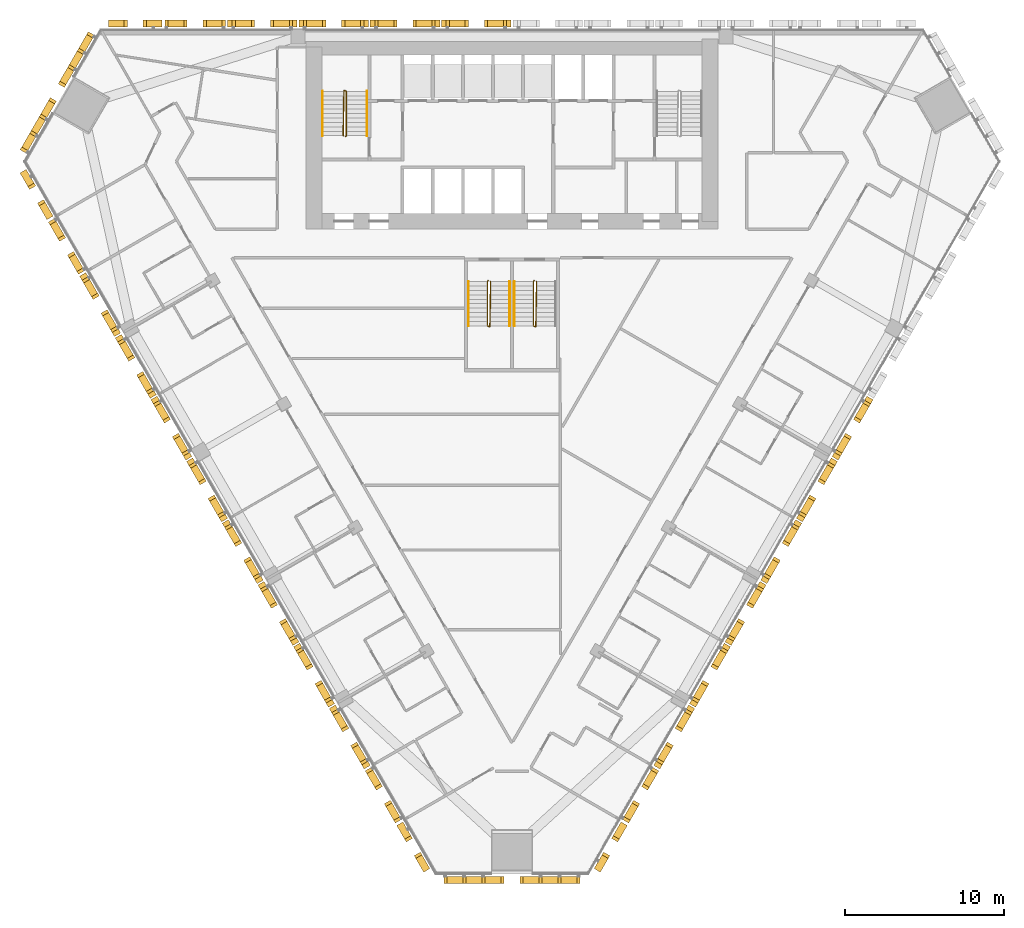
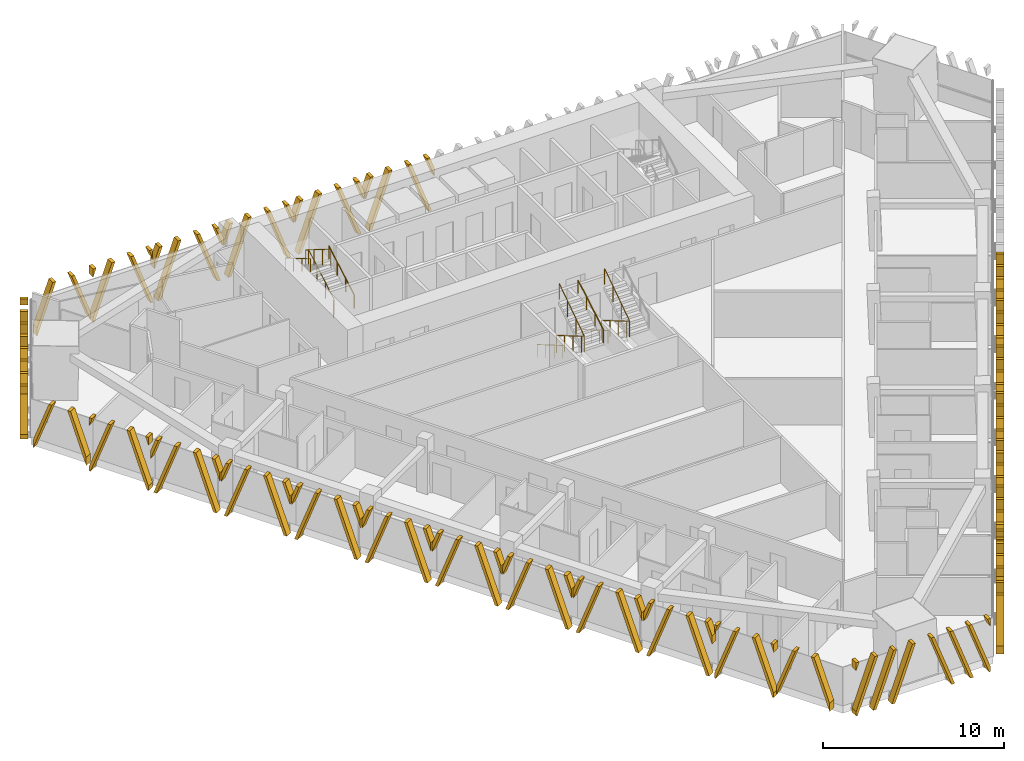
# One storey, part 16 of 18: 28 shading devices, 8 railings.
"""IFC4 building model written with IfcOpenShell, lengths in metres."""

import ifcopenshell
import ifcopenshell.guid

model = None  # the IFC model being written
_history = None  # IfcOwnerHistory: only IFC2X3 demands one
_inside = {}  # id of a spatial element -> (the spatial element, [elements in it])
_under = {}  # id of a project, library or spatial element -> (it, [spatial elements below it])
_declared = {}  # id of a project -> (the project, [libraries it declares])
_typed = {}  # id of a type object -> (the type object, [elements of that type])
_made_of = {}  # id of a material, layer set ... -> (it, [elements and type objects made of it])


def new_model(schema):
    """Start an empty IFC model of exactly this schema.

    Asked for "IFC4X3", IfcOpenShell would pick the latest addendum, in which some entities
    have other attributes; the version numbers below select the first issue.
    IFC2X3 requires an IfcOwnerHistory on every rooted entity: one is made here for all.
    """
    global model, _history
    if schema == "IFC4X3":
        model = ifcopenshell.file(schema_version=(4, 3, 0, 0))
    else:
        model = ifcopenshell.file(schema=schema)
    _inside.clear()
    _under.clear()
    _declared.clear()
    _typed.clear()
    _made_of.clear()
    _history = None
    if model.schema == "IFC2X3":
        org = make("IfcOrganization", Name="unknown")
        user = make(
            "IfcPersonAndOrganization",
            ThePerson=make("IfcPerson", FamilyName="unknown"),
            TheOrganization=org,
        )
        app = make(
            "IfcApplication",
            ApplicationDeveloper=org,
            Version="unknown",
            ApplicationFullName="unknown",
            ApplicationIdentifier="unknown",
        )
        _history = make(
            "IfcOwnerHistory",
            OwningUser=user,
            OwningApplication=app,
            ChangeAction="ADDED",
            CreationDate=0,
        )
    return model


def make(cls, **values):
    """One entity of the class cls with the attributes given. An attribute that is None is left unset."""
    return model.create_entity(
        cls, **{name: value for name, value in values.items() if value is not None}
    )


def rooted(cls, **values):
    """An entity with a GlobalId (a new one), such as an element, a storey or a relation."""
    return make(cls, GlobalId=ifcopenshell.guid.new(), OwnerHistory=_history, **values)


def si_unit(unit_type, name, prefix=None):
    """IfcSIUnit, for example si_unit("LENGTHUNIT", "METRE", prefix="MILLI")."""
    return make("IfcSIUnit", UnitType=unit_type, Prefix=prefix, Name=name)


def assignment(units):
    """IfcUnitAssignment: the units of a project."""
    return None if units is None else make("IfcUnitAssignment", Units=units)


def point(xyz):
    """IfcCartesianPoint."""
    return None if xyz is None else make("IfcCartesianPoint", Coordinates=xyz)


def direction(xyz):
    """IfcDirection."""
    return None if xyz is None else make("IfcDirection", DirectionRatios=xyz)


def frame(location, z_axis=None, x_axis=None):
    """IfcAxis2Placement3D, a coordinate frame: its origin and axes. An axis left out is left unset."""
    return make(
        "IfcAxis2Placement3D",
        Location=point(location),
        Axis=direction(z_axis),
        RefDirection=direction(x_axis),
    )


def frame_2d(location, x_axis=None):
    """IfcAxis2Placement2D, a coordinate frame in the plane: its origin and x axis."""
    return make(
        "IfcAxis2Placement2D", Location=point(location), RefDirection=direction(x_axis)
    )


def origin():
    """The frame at (0, 0, 0) with its axes left unset."""
    return frame((0.0, 0.0, 0.0))


def origin_2d():
    """The frame at (0, 0) in the plane with its x axis left unset."""
    return frame_2d((0.0, 0.0))


def place(relative_to, where):
    """IfcLocalPlacement: puts the frame where relative to a parent placement (None: the world)."""
    return make(
        "IfcLocalPlacement", PlacementRelTo=relative_to, RelativePlacement=where
    )


def context(
    kind, dimensions, precision=None, world=None, true_north=None, identifier=None
):
    """IfcGeometricRepresentationContext, for example the 3D "Model" context."""
    return make(
        "IfcGeometricRepresentationContext",
        ContextIdentifier=identifier,
        ContextType=kind,
        CoordinateSpaceDimension=dimensions,
        Precision=precision,
        WorldCoordinateSystem=world,
        TrueNorth=true_north,
    )


def subcontext(parent, identifier, kind, view, scale=None):
    """IfcGeometricRepresentationSubContext, for example "Body" below "Model"."""
    return make(
        "IfcGeometricRepresentationSubContext",
        ContextIdentifier=identifier,
        ContextType=kind,
        ParentContext=parent,
        TargetScale=scale,
        TargetView=view,
    )


def project(units=None, contexts=None):
    """IfcProject with its units and contexts."""
    return rooted(
        "IfcProject",
        Name="project",
        RepresentationContexts=contexts,
        UnitsInContext=assignment(units),
    )


def spatial(cls, under=None, at=None, **own):
    """A site, building, storey or space (cls), placed at a placement, below another one or the project."""
    s = rooted(cls, ObjectPlacement=at, **own)
    if under is not None:
        _under.setdefault(under.id(), (under, []))[1].append(s)
    return s


def polyline(points):
    """IfcPolyline through the points."""
    return make("IfcPolyline", Points=[point(p) for p in points])


def profile(cls, at=None, kind="AREA", **sizes):
    """A parametric profile (cls). Its sizes go by their IFC names, for example OverallWidth=200.0."""
    return make(cls, ProfileType=kind, Position=at, **sizes)


def circle(**sizes):
    """IfcCircleProfileDef."""
    return profile("IfcCircleProfileDef", **sizes)


def outline(outer, holes=None, kind="AREA"):
    """IfcArbitraryClosedProfileDef: a profile drawn as a closed curve; with holes, ...WithVoids."""
    if holes is None:
        return make("IfcArbitraryClosedProfileDef", ProfileType=kind, OuterCurve=outer)
    return make(
        "IfcArbitraryProfileDefWithVoids",
        ProfileType=kind,
        OuterCurve=outer,
        InnerCurves=holes,
    )


def extrude(swept, where, along, depth):
    """IfcExtrudedAreaSolid: the profile swept, set in the frame where, extruded along a direction by depth."""
    return make(
        "IfcExtrudedAreaSolid",
        SweptArea=swept,
        Position=where,
        ExtrudedDirection=direction(along),
        Depth=depth,
    )


def shape(context_of_items, identifier, shape_type, items):
    """IfcShapeRepresentation: the items that make up one representation, for example the "Body"."""
    return make(
        "IfcShapeRepresentation",
        ContextOfItems=context_of_items,
        RepresentationIdentifier=identifier,
        RepresentationType=shape_type,
        Items=items,
    )


def source(mapping_origin, context_of_items, identifier, shape_type, items):
    """IfcRepresentationMap: a shape defined once, which mapped items show again and again."""
    return make(
        "IfcRepresentationMap",
        MappingOrigin=mapping_origin,
        MappedRepresentation=shape(context_of_items, identifier, shape_type, items),
    )


def transform(
    local_origin,
    x_axis=None,
    y_axis=None,
    z_axis=None,
    scale=None,
    scale2=None,
    scale3=None,
    uniform=True,
):
    """IfcCartesianTransformationOperator3D, or its non-uniform kind. x_axis, y_axis, z_axis: its Axis1, 2, 3."""
    if uniform:
        return make(
            "IfcCartesianTransformationOperator3D",
            Axis1=direction(x_axis),
            Axis2=direction(y_axis),
            LocalOrigin=point(local_origin),
            Scale=scale,
            Axis3=direction(z_axis),
        )
    return make(
        "IfcCartesianTransformationOperator3DnonUniform",
        Axis1=direction(x_axis),
        Axis2=direction(y_axis),
        LocalOrigin=point(local_origin),
        Scale=scale,
        Axis3=direction(z_axis),
        Scale2=scale2,
        Scale3=scale3,
    )


def mapped(mapping_source, mapping_target):
    """IfcMappedItem: shows the shape of a source again, moved by a transform."""
    return make(
        "IfcMappedItem", MappingSource=mapping_source, MappingTarget=mapping_target
    )


def material(Name=None, Category=None):
    """IfcMaterial."""
    return make("IfcMaterial", Name=Name, Category=Category)


def made_of(thing, what):
    """Note that an element or type object is made of a material, layer set ...; save() writes the relation."""
    if what is not None:
        _made_of.setdefault(what.id(), (what, []))[1].append(thing)
    return thing


def type_object(cls, material=None, **own):
    """A type object (cls), such as IfcWallType, which elements share."""
    return made_of(rooted(cls, **own), material)


def element(
    cls,
    number,
    at=None,
    inside=None,
    cuts=None,
    type_object=None,
    material=None,
    context=None,
    identifier="Body",
    shape_type=None,
    held_by="IfcProductDefinitionShape",
    body=None,
    shapes=None,
    **own,
):
    """One element of the class cls, such as IfcWall. Its Tag is "e" and its number.

    at: its placement. inside: the storey or other place that contains it. cuts: it is an
    opening in that element (IfcRelVoidsElement). A single representation is given by context,
    identifier, shape_type and body (its items); several are given by shapes. held_by: the class
    of the entity that holds the representations. save() writes the other relations.
    """
    e = rooted(cls, Tag="e%d" % number, ObjectPlacement=at, **own)
    if body is not None:
        shapes = [shape(context, identifier, shape_type, body)]
    if shapes is not None:
        e.Representation = make(held_by, Representations=shapes)
    if inside is not None:
        _inside.setdefault(inside.id(), (inside, []))[1].append(e)
    if cuts is not None:
        rooted(
            "IfcRelVoidsElement", RelatingBuildingElement=cuts, RelatedOpeningElement=e
        )
    if type_object is not None:
        _typed.setdefault(type_object.id(), (type_object, []))[1].append(e)
    return made_of(e, material)


def aggregate(whole, parts):
    """IfcRelAggregates: a whole, such as a stair, and the parts it consists of."""
    return rooted("IfcRelAggregates", RelatingObject=whole, RelatedObjects=parts)


def save(model, path):
    """Write the relations noted so far, then the file.

    IfcRelAggregates (storeys below a building ...), IfcRelContainedInSpatialStructure (elements
    in a storey), IfcRelDefinesByType, IfcRelAssociatesMaterial and IfcRelDeclares: one each for
    every whole, place, type object, material and project.
    """
    for whole, parts in _under.values():
        aggregate(whole, parts)
    for where, things in _inside.values():
        rooted(
            "IfcRelContainedInSpatialStructure",
            RelatedElements=things,
            RelatingStructure=where,
        )
    for kind, things in _typed.values():
        rooted("IfcRelDefinesByType", RelatedObjects=things, RelatingType=kind)
    for what, things in _made_of.values():
        rooted("IfcRelAssociatesMaterial", RelatedObjects=things, RelatingMaterial=what)
    for by, libraries in _declared.values():
        rooted("IfcRelDeclares", RelatingContext=by, RelatedDefinitions=libraries)
    model.write(path)


model = new_model("IFC4")

# Units and contexts
model_context = context("Model", 3, precision=1e-05, world=origin(), true_north=direction((0.0, 1.0)))
body_context = subcontext(model_context, "Body", "Model", "MODEL_VIEW")
ifc_project = project(units=[si_unit("LENGTHUNIT", "METRE"), si_unit("AREAUNIT", "SQUARE_METRE"), si_unit("VOLUMEUNIT", "CUBIC_METRE"), si_unit("PLANEANGLEUNIT", "RADIAN"), si_unit("MASSUNIT", "GRAM", prefix="KILO")], contexts=[model_context])

# Site, building, storey
site_placement = place(None, origin())
site = spatial("IfcSite", under=ifc_project, at=site_placement, CompositionType="ELEMENT")
building_placement = place(site_placement, origin())
building = spatial("IfcBuilding", under=site, at=building_placement, Name="Altiplano Prism Tower", CompositionType="ELEMENT")
storey_placement = place(building_placement, frame((0.0, 0.0, 45.0)))
storey = spatial("IfcBuildingStorey", under=building, at=storey_placement, Name="L10", CompositionType="ELEMENT", Elevation=45.0)

# Railings
ifc_material_1 = material(Name="Steel S355", Category="steel")
railing_type_1 = type_object("IfcRailingType", Name="Stair guard 1100", PredefinedType="GUARDRAIL", material=ifc_material_1)
railing_1_placement = place(storey_placement, frame((74.5, 98.25, 0.0)))
element("IfcRailing", 1, at=railing_1_placement, inside=storey, type_object=railing_type_1, Name="L10 ST1 stair guard 1", PredefinedType="GUARDRAIL", context=body_context, shape_type="SweptSolid", body=[
    extrude(circle(Radius=0.02392578125, at=origin_2d()), frame((0.0, 0.0, 1.076171875), z_axis=(0.280808744504, 0.280808744504, 0.917765164963), x_axis=(-0.707106781187, 0.707106781187, 0.0)), (0.0, 0.0, 1.0), 0.17822265625),
    extrude(circle(Radius=0.02392578125, at=origin_2d()), frame((0.050048828125, 0.050048828125, 1.23974609375), z_axis=(0.0, 0.863360870873, 0.504586966384), x_axis=(-1.0, 0.0, 0.0)), (0.0, 0.0, 1.0), 3.2431640625),
    extrude(circle(Radius=0.02392578125, at=origin_2d()), frame((0.050048828125, 2.85009765625, 2.8759765625), z_axis=(-0.949145278916, 0.314838433982, 0.0), x_axis=(-0.314838433982, -0.949145278916, 0.0)), (0.0, 0.0, 1.0), 0.158203125),
    extrude(circle(Radius=0.02392578125, at=origin_2d()), frame((-0.10009765625, 2.89990234375, 2.8759765625), z_axis=(-0.01477401265, -0.845377694409, 0.533964682676), x_axis=(0.999847325713, -0.01747355902, 0.0)), (0.0, 0.0, 1.0), 3.37109375),
    extrude(circle(Radius=0.02099609375, at=origin_2d()), origin(), (0.0, 0.0, 1.0), 1.052001953125),
    extrude(circle(Radius=0.02099609375, at=origin_2d()), frame((0.050048828125, 0.050048828125, 0.16357421875)), (0.0, 0.0, 1.0), 1.052001953125),
    extrude(circle(Radius=0.02099609375, at=origin_2d()), frame((0.050048828125, 0.9833984375, 0.708984375)), (0.0, 0.0, 1.0), 1.052001953125),
    extrude(circle(Radius=0.02099609375, at=origin_2d()), frame((0.050048828125, 1.916748046875, 1.254638671875)), (0.0, 0.0, 1.0), 1.052001953125),
    extrude(circle(Radius=0.02099609375, at=origin_2d()), frame((0.050048828125, 2.85009765625, 1.800048828125)), (0.0, 0.0, 1.0), 1.052001953125),
    extrude(circle(Radius=0.02099609375, at=origin_2d()), frame((-0.10009765625, 2.89990234375, 1.800048828125)), (0.0, 0.0, 1.0), 1.052001953125),
    extrude(circle(Radius=0.02099609375, at=origin_2d()), frame((-0.11669921875, 1.949951171875, 2.400146484375)), (0.0, 0.0, 1.0), 1.052001953125),
    extrude(circle(Radius=0.02099609375, at=origin_2d()), frame((-0.13330078125, 1.0, 3.0)), (0.0, 0.0, 1.0), 1.052001953125),
    extrude(circle(Radius=0.02099609375, at=origin_2d()), frame((-0.14990234375, 0.050048828125, 3.60009765625)), (0.0, 0.0, 1.0), 1.052001953125),
])
railing_2_placement = place(storey_placement, frame((83.5, 89.14990234375, 0.0)))
element("IfcRailing", 2, at=railing_2_placement, inside=storey, type_object=railing_type_1, Name="L10 ST3A stair guard 1", PredefinedType="GUARDRAIL", context=body_context, shape_type="SweptSolid", body=[
    extrude(circle(Radius=0.02392578125, at=origin_2d()), frame((0.0, 0.0, 1.076171875), z_axis=(-0.280916556609, -0.279546231943, 0.91811752648), x_axis=(0.705375805398, -0.708833529934, 0.0)), (0.0, 0.0, 1.0), 0.17822265625),
    extrude(circle(Radius=0.02392578125, at=origin_2d()), frame((-0.050048828125, -0.0498046875, 1.23974609375), z_axis=(0.0, -0.863360870873, 0.504586966384), x_axis=(1.0, 0.0, 0.0)), (0.0, 0.0, 1.0), 3.2431640625),
    extrude(circle(Radius=0.02392578125, at=origin_2d()), frame((-0.050048828125, -2.849853515625, 2.8759765625), z_axis=(0.948683298051, -0.316227766017, 0.0), x_axis=(0.316227766017, 0.948683298051, 0.0)), (0.0, 0.0, 1.0), 0.158203125),
    extrude(circle(Radius=0.02392578125, at=origin_2d()), frame((0.10009765625, -2.89990234375, 2.8759765625), z_axis=(0.014773108175, 0.84539835705, 0.533931993021), x_axis=(-0.999847351862, 0.017472062685, 0.0)), (0.0, 0.0, 1.0), 3.371337890625),
    extrude(circle(Radius=0.02099609375, at=origin_2d()), origin(), (0.0, 0.0, 1.0), 1.052001953125),
    extrude(circle(Radius=0.02099609375, at=origin_2d()), frame((-0.050048828125, -0.0498046875, 0.16357421875)), (0.0, 0.0, 1.0), 1.052001953125),
    extrude(circle(Radius=0.02099609375, at=origin_2d()), frame((-0.050048828125, -0.983154296875, 0.708984375)), (0.0, 0.0, 1.0), 1.052001953125),
    extrude(circle(Radius=0.02099609375, at=origin_2d()), frame((-0.050048828125, -1.91650390625, 1.254638671875)), (0.0, 0.0, 1.0), 1.052001953125),
    extrude(circle(Radius=0.02099609375, at=origin_2d()), frame((-0.050048828125, -2.849853515625, 1.800048828125)), (0.0, 0.0, 1.0), 1.052001953125),
    extrude(circle(Radius=0.02099609375, at=origin_2d()), frame((0.10009765625, -2.89990234375, 1.800048828125)), (0.0, 0.0, 1.0), 1.052001953125),
    extrude(circle(Radius=0.02099609375, at=origin_2d()), frame((0.11669921875, -1.949951171875, 2.400146484375)), (0.0, 0.0, 1.0), 1.052001953125),
    extrude(circle(Radius=0.02099609375, at=origin_2d()), frame((0.13330078125, -0.999755859375, 3.0)), (0.0, 0.0, 1.0), 1.052001953125),
    extrude(circle(Radius=0.02099609375, at=origin_2d()), frame((0.14990234375, -0.0498046875, 3.60009765625)), (0.0, 0.0, 1.0), 1.052001953125),
])
railing_3_placement = place(storey_placement, frame((86.39990234375, 89.14990234375, 0.0)))
element("IfcRailing", 3, at=railing_3_placement, inside=storey, type_object=railing_type_1, Name="L10 ST3B stair guard 1", PredefinedType="GUARDRAIL", context=body_context, shape_type="SweptSolid", body=[
    extrude(circle(Radius=0.02392578125, at=origin_2d()), frame((0.0, 0.0, 1.076171875), z_axis=(-0.279653641804, -0.279653641804, 0.918470294159), x_axis=(0.707106781187, -0.707106781187, 0.0)), (0.0, 0.0, 1.0), 0.177978515625),
    extrude(circle(Radius=0.02392578125, at=origin_2d()), frame((-0.0498046875, -0.0498046875, 1.23974609375), z_axis=(0.0, -0.863360870873, 0.504586966384), x_axis=(1.0, 0.0, 0.0)), (0.0, 0.0, 1.0), 3.2431640625),
    extrude(circle(Radius=0.02392578125, at=origin_2d()), frame((-0.0498046875, -2.849853515625, 2.8759765625), z_axis=(0.948528701346, -0.316691178788, 0.0), x_axis=(0.316691178788, 0.948528701346, 0.0)), (0.0, 0.0, 1.0), 0.157958984375),
    extrude(circle(Radius=0.02392578125, at=origin_2d()), frame((0.10009765625, -2.89990234375, 2.8759765625), z_axis=(0.014845509451, 0.845397450405, 0.533931420407), x_axis=(-0.999845851991, 0.017557683712, 0.0)), (0.0, 0.0, 1.0), 3.371337890625),
    extrude(circle(Radius=0.02099609375, at=origin_2d()), origin(), (0.0, 0.0, 1.0), 1.052001953125),
    extrude(circle(Radius=0.02099609375, at=origin_2d()), frame((-0.0498046875, -0.0498046875, 0.16357421875)), (0.0, 0.0, 1.0), 1.052001953125),
    extrude(circle(Radius=0.02099609375, at=origin_2d()), frame((-0.0498046875, -0.983154296875, 0.708984375)), (0.0, 0.0, 1.0), 1.052001953125),
    extrude(circle(Radius=0.02099609375, at=origin_2d()), frame((-0.0498046875, -1.91650390625, 1.254638671875)), (0.0, 0.0, 1.0), 1.052001953125),
    extrude(circle(Radius=0.02099609375, at=origin_2d()), frame((-0.0498046875, -2.849853515625, 1.800048828125)), (0.0, 0.0, 1.0), 1.052001953125),
    extrude(circle(Radius=0.02099609375, at=origin_2d()), frame((0.10009765625, -2.89990234375, 1.800048828125)), (0.0, 0.0, 1.0), 1.052001953125),
    extrude(circle(Radius=0.02099609375, at=origin_2d()), frame((0.11669921875, -1.949951171875, 2.400146484375)), (0.0, 0.0, 1.0), 1.052001953125),
    extrude(circle(Radius=0.02099609375, at=origin_2d()), frame((0.133544921875, -0.999755859375, 3.0)), (0.0, 0.0, 1.0), 1.052001953125),
    extrude(circle(Radius=0.02099609375, at=origin_2d()), frame((0.150146484375, -0.0498046875, 3.60009765625)), (0.0, 0.0, 1.0), 1.052001953125),
])
railing_type_2 = type_object("IfcRailingType", Name="Stair handrail 900", PredefinedType="HANDRAIL", material=ifc_material_1)
railing_4_placement = place(storey_placement, frame((75.85009765625, 98.300048828125, 0.16357421875)))
element("IfcRailing", 4, at=railing_4_placement, inside=storey, type_object=railing_type_2, Name="L10 ST1 stair handrail 1", PredefinedType="HANDRAIL", context=body_context, shape_type="SweptSolid", body=[
    extrude(circle(Radius=0.02392578125, at=origin_2d()), frame((0.0, 0.0, 0.8759765625), z_axis=(0.0, 0.863360870873, 0.504586966384), x_axis=(-1.0, 0.0, 0.0)), (0.0, 0.0, 1.0), 3.2431640625),
    extrude(circle(Radius=0.02099609375, at=origin_2d()), origin(), (0.0, 0.0, 1.0), 0.851806640625),
    extrude(circle(Radius=0.02099609375, at=origin_2d()), frame((0.0, 0.933349609375, 0.54541015625)), (0.0, 0.0, 1.0), 0.851806640625),
    extrude(circle(Radius=0.02099609375, at=origin_2d()), frame((0.0, 1.86669921875, 1.091064453125)), (0.0, 0.0, 1.0), 0.851806640625),
    extrude(circle(Radius=0.02099609375, at=origin_2d()), frame((0.0, 2.800048828125, 1.636474609375)), (0.0, 0.0, 1.0), 0.851806640625),
])
for number, where, name in (
    (5, (73.050048828125, 101.10009765625, 1.963623046875), "L10 ST1 stair handrail 2"),
    (6, (82.25, 89.10009765625, 0.16357421875), "L10 ST3A stair handrail 1"),
):
    element("IfcRailing", number, at=place(storey_placement, frame(where)), inside=storey, type_object=railing_type_2, Name=name, PredefinedType="HANDRAIL", context=body_context, shape_type="SweptSolid", body=[
        extrude(circle(Radius=0.02392578125, at=origin_2d()), frame((0.0, 0.0, 0.8759765625), z_axis=(0.0, -0.863360870873, 0.504586966384), x_axis=(1.0, 0.0, 0.0)), (0.0, 0.0, 1.0), 3.2431640625),
        extrude(circle(Radius=0.02099609375, at=origin_2d()), origin(), (0.0, 0.0, 1.0), 0.851806640625),
        extrude(circle(Radius=0.02099609375, at=origin_2d()), frame((0.0, -0.933349609375, 0.54541015625)), (0.0, 0.0, 1.0), 0.851806640625),
        extrude(circle(Radius=0.02099609375, at=origin_2d()), frame((0.0, -1.86669921875, 1.091064453125)), (0.0, 0.0, 1.0), 0.851806640625),
        extrude(circle(Radius=0.02099609375, at=origin_2d()), frame((0.0, -2.800048828125, 1.636474609375)), (0.0, 0.0, 1.0), 0.851806640625),
    ])
railing_5_placement = place(storey_placement, frame((84.85009765625, 86.300048828125, 1.963623046875)))
element("IfcRailing", 7, at=railing_5_placement, inside=storey, type_object=railing_type_2, Name="L10 ST3A stair handrail 2", PredefinedType="HANDRAIL", context=body_context, shape_type="SweptSolid", body=[
    extrude(circle(Radius=0.02392578125, at=origin_2d()), frame((0.0, 0.0, 0.8759765625), z_axis=(0.0, 0.863360870873, 0.504586966384), x_axis=(-1.0, 0.0, 0.0)), (0.0, 0.0, 1.0), 3.2431640625),
    extrude(circle(Radius=0.02099609375, at=origin_2d()), origin(), (0.0, 0.0, 1.0), 0.851806640625),
    extrude(circle(Radius=0.02099609375, at=origin_2d()), frame((0.0, 0.933349609375, 0.54541015625)), (0.0, 0.0, 1.0), 0.851806640625),
    extrude(circle(Radius=0.02099609375, at=origin_2d()), frame((0.0, 1.86669921875, 1.091064453125)), (0.0, 0.0, 1.0), 0.851806640625),
    extrude(circle(Radius=0.02099609375, at=origin_2d()), frame((0.0, 2.800048828125, 1.636474609375)), (0.0, 0.0, 1.0), 0.851806640625),
])
railing_6_placement = place(storey_placement, frame((85.14990234375, 89.10009765625, 0.16357421875)))
element("IfcRailing", 8, at=railing_6_placement, inside=storey, type_object=railing_type_2, Name="L10 ST3B stair handrail 1", PredefinedType="HANDRAIL", context=body_context, shape_type="SweptSolid", body=[
    extrude(circle(Radius=0.02392578125, at=origin_2d()), frame((0.0, 0.0, 0.8759765625), z_axis=(0.0, -0.863360870873, 0.504586966384), x_axis=(1.0, 0.0, 0.0)), (0.0, 0.0, 1.0), 3.2431640625),
    extrude(circle(Radius=0.02099609375, at=origin_2d()), origin(), (0.0, 0.0, 1.0), 0.851806640625),
    extrude(circle(Radius=0.02099609375, at=origin_2d()), frame((0.0, -0.933349609375, 0.54541015625)), (0.0, 0.0, 1.0), 0.851806640625),
    extrude(circle(Radius=0.02099609375, at=origin_2d()), frame((0.0, -1.86669921875, 1.091064453125)), (0.0, 0.0, 1.0), 0.851806640625),
    extrude(circle(Radius=0.02099609375, at=origin_2d()), frame((0.0, -2.800048828125, 1.636474609375)), (0.0, 0.0, 1.0), 0.851806640625),
])

# Shading devices
ifc_material_2 = material(Name="Warm limestone cast stone", Category="masonry")
shading_device_type_1 = type_object("IfcShadingDeviceType", Name="Stone fin panel, standard unit", PredefinedType="USERDEFINED", material=ifc_material_2)
shared_shape_1 = source(origin(), body_context, "Body", "SweptSolid", [
    extrude(outline(polyline([(-2.199951171875, 2.226318359375), (-1.699951171875, 3.60009765625), (-1.89990234375, 3.60009765625), (-2.199951171875, 2.77587890625), (-2.199951171875, 2.226318359375)])), frame((0.0, -0.14990234375, 0.0), z_axis=(0.0, -1.0, 0.0), x_axis=(1.0, 0.0, 0.0)), (0.0, 0.0, 1.0), 0.4501953125),
    extrude(outline(polyline([(-2.01025390625, 0.0), (-1.810302734375, 0.0), (-0.5, 3.60009765625), (-0.699951171875, 3.60009765625), (-2.01025390625, 0.0)])), frame((0.0, -0.14990234375, 0.0), z_axis=(0.0, -1.0, 0.0), x_axis=(1.0, 0.0, 0.0)), (0.0, 0.0, 1.0), 0.4501953125),
    extrude(outline(polyline([(1.810302734375, 0.0), (2.01025390625, 0.0), (0.699951171875, 3.60009765625), (0.5, 3.60009765625), (1.810302734375, 0.0)])), frame((0.0, -0.14990234375, 0.0), z_axis=(0.0, -1.0, 0.0), x_axis=(1.0, 0.0, 0.0)), (0.0, 0.0, 1.0), 0.4501953125),
    extrude(outline(polyline([(2.199951171875, 2.77587890625), (1.89990234375, 3.60009765625), (1.699951171875, 3.60009765625), (2.199951171875, 2.226318359375), (2.199951171875, 2.77587890625)])), frame((0.0, -0.14990234375, 0.0), z_axis=(0.0, -1.0, 0.0), x_axis=(1.0, 0.0, 0.0)), (0.0, 0.0, 1.0), 0.4501953125),
])
shading_device_1_placement = place(storey_placement, origin())
element("IfcShadingDevice", 9, at=shading_device_1_placement, inside=storey, type_object=shading_device_type_1, Name="Fin L10 north face 7", ObjectType="FIN", PredefinedType="USERDEFINED", context=body_context, shape_type="MappedRepresentation", body=[
    mapped(shared_shape_1, transform((82.75, 105.0, -0.5), x_axis=(-1.0, 0.0, 0.0), y_axis=(0.0, -1.0, 0.0), z_axis=(0.0, 0.0, 1.0))),
])
shading_device_2_placement = place(storey_placement, origin())
element("IfcShadingDevice", 10, at=shading_device_2_placement, inside=storey, type_object=shading_device_type_1, Name="Fin L10 north face 8", ObjectType="FIN", PredefinedType="USERDEFINED", context=body_context, shape_type="MappedRepresentation", body=[
    mapped(shared_shape_1, transform((78.25, 105.0, -0.5), x_axis=(-1.0, 0.0, 0.0), y_axis=(0.0, -1.0, 0.0), z_axis=(0.0, 0.0, 1.0))),
])
shading_device_3_placement = place(storey_placement, origin())
element("IfcShadingDevice", 11, at=shading_device_3_placement, inside=storey, type_object=shading_device_type_1, Name="Fin L10 north face 9", ObjectType="FIN", PredefinedType="USERDEFINED", context=body_context, shape_type="MappedRepresentation", body=[
    mapped(shared_shape_1, transform((73.75, 105.0, -0.5), x_axis=(-1.0, 0.0, 0.0), y_axis=(0.0, -1.0, 0.0), z_axis=(0.0, 0.0, 1.0))),
])
shading_device_4_placement = place(storey_placement, origin())
element("IfcShadingDevice", 12, at=shading_device_4_placement, inside=storey, type_object=shading_device_type_1, Name="Fin L10 north face 10", ObjectType="FIN", PredefinedType="USERDEFINED", context=body_context, shape_type="MappedRepresentation", body=[
    mapped(shared_shape_1, transform((69.25, 105.0, -0.5), x_axis=(-1.0, 0.0, 0.0), y_axis=(0.0, -1.0, 0.0), z_axis=(0.0, 0.0, 1.0))),
])
shading_device_5_placement = place(storey_placement, origin())
element("IfcShadingDevice", 13, at=shading_device_5_placement, inside=storey, type_object=shading_device_type_1, Name="Fin L10 south-west face 3", ObjectType="FIN", PredefinedType="USERDEFINED", context=body_context, shape_type="MappedRepresentation", body=[
    mapped(shared_shape_1, transform((59.33837890625, 87.83251953125, -0.5), x_axis=(0.50000000184, -0.866025402722, 0.0), y_axis=(0.866025402722, 0.50000000184, 0.0), z_axis=(0.0, 0.0, 1.0))),
])
shading_device_6_placement = place(storey_placement, origin())
element("IfcShadingDevice", 14, at=shading_device_6_placement, inside=storey, type_object=shading_device_type_1, Name="Fin L10 south-west face 4", ObjectType="FIN", PredefinedType="USERDEFINED", context=body_context, shape_type="MappedRepresentation", body=[
    mapped(shared_shape_1, transform((61.58837890625, 83.935546875, -0.5), x_axis=(0.50000000184, -0.866025402722, 0.0), y_axis=(0.866025402722, 0.50000000184, 0.0), z_axis=(0.0, 0.0, 1.0))),
])
shading_device_7_placement = place(storey_placement, origin())
element("IfcShadingDevice", 15, at=shading_device_7_placement, inside=storey, type_object=shading_device_type_1, Name="Fin L10 south-west face 5", ObjectType="FIN", PredefinedType="USERDEFINED", context=body_context, shape_type="MappedRepresentation", body=[
    mapped(shared_shape_1, transform((63.83837890625, 80.038330078125, -0.5), x_axis=(0.50000000184, -0.866025402722, 0.0), y_axis=(0.866025402722, 0.50000000184, 0.0), z_axis=(0.0, 0.0, 1.0))),
])
shading_device_8_placement = place(storey_placement, origin())
element("IfcShadingDevice", 16, at=shading_device_8_placement, inside=storey, type_object=shading_device_type_1, Name="Fin L10 south-west face 6", ObjectType="FIN", PredefinedType="USERDEFINED", context=body_context, shape_type="MappedRepresentation", body=[
    mapped(shared_shape_1, transform((66.08837890625, 76.141357421875, -0.5), x_axis=(0.50000000184, -0.866025402722, 0.0), y_axis=(0.866025402722, 0.50000000184, 0.0), z_axis=(0.0, 0.0, 1.0))),
])
shading_device_9_placement = place(storey_placement, origin())
element("IfcShadingDevice", 17, at=shading_device_9_placement, inside=storey, type_object=shading_device_type_1, Name="Fin L10 south-west face 7", ObjectType="FIN", PredefinedType="USERDEFINED", context=body_context, shape_type="MappedRepresentation", body=[
    mapped(shared_shape_1, transform((68.33837890625, 72.244140625, -0.5), x_axis=(0.50000000184, -0.866025402722, 0.0), y_axis=(0.866025402722, 0.50000000184, 0.0), z_axis=(0.0, 0.0, 1.0))),
])
shading_device_10_placement = place(storey_placement, origin())
element("IfcShadingDevice", 18, at=shading_device_10_placement, inside=storey, type_object=shading_device_type_1, Name="Fin L10 south-west face 8", ObjectType="FIN", PredefinedType="USERDEFINED", context=body_context, shape_type="MappedRepresentation", body=[
    mapped(shared_shape_1, transform((70.58837890625, 68.34716796875, -0.5), x_axis=(0.50000000184, -0.866025402722, 0.0), y_axis=(0.866025402722, 0.50000000184, 0.0), z_axis=(0.0, 0.0, 1.0))),
])
shading_device_11_placement = place(storey_placement, origin())
element("IfcShadingDevice", 19, at=shading_device_11_placement, inside=storey, type_object=shading_device_type_1, Name="Fin L10 south-west face 9", ObjectType="FIN", PredefinedType="USERDEFINED", context=body_context, shape_type="MappedRepresentation", body=[
    mapped(shared_shape_1, transform((72.83837890625, 64.449951171875, -0.5), x_axis=(0.50000000184, -0.866025402722, 0.0), y_axis=(0.866025402722, 0.50000000184, 0.0), z_axis=(0.0, 0.0, 1.0))),
])
shading_device_12_placement = place(storey_placement, origin())
element("IfcShadingDevice", 20, at=shading_device_12_placement, inside=storey, type_object=shading_device_type_1, Name="Fin L10 south-west face 10", ObjectType="FIN", PredefinedType="USERDEFINED", context=body_context, shape_type="MappedRepresentation", body=[
    mapped(shared_shape_1, transform((75.08837890625, 60.552734375, -0.5), x_axis=(0.50000000184, -0.866025402722, 0.0), y_axis=(0.866025402722, 0.50000000184, 0.0), z_axis=(0.0, 0.0, 1.0))),
])
shading_device_13_placement = place(storey_placement, origin())
element("IfcShadingDevice", 21, at=shading_device_13_placement, inside=storey, type_object=shading_device_type_1, Name="Fin L10 south-east face 3", ObjectType="FIN", PredefinedType="USERDEFINED", context=body_context, shape_type="MappedRepresentation", body=[
    mapped(shared_shape_1, transform((94.91162109375, 60.552734375, -0.5), x_axis=(0.50000000184, 0.866025402722, 0.0), y_axis=(-0.866025402722, 0.50000000184, 0.0), z_axis=(0.0, 0.0, 1.0))),
])
shading_device_14_placement = place(storey_placement, origin())
element("IfcShadingDevice", 22, at=shading_device_14_placement, inside=storey, type_object=shading_device_type_1, Name="Fin L10 south-east face 4", ObjectType="FIN", PredefinedType="USERDEFINED", context=body_context, shape_type="MappedRepresentation", body=[
    mapped(shared_shape_1, transform((97.16162109375, 64.449951171875, -0.5), x_axis=(0.50000000184, 0.866025402722, 0.0), y_axis=(-0.866025402722, 0.50000000184, 0.0), z_axis=(0.0, 0.0, 1.0))),
])
shading_device_15_placement = place(storey_placement, origin())
element("IfcShadingDevice", 23, at=shading_device_15_placement, inside=storey, type_object=shading_device_type_1, Name="Fin L10 south-east face 5", ObjectType="FIN", PredefinedType="USERDEFINED", context=body_context, shape_type="MappedRepresentation", body=[
    mapped(shared_shape_1, transform((99.41162109375, 68.34716796875, -0.5), x_axis=(0.50000000184, 0.866025402722, 0.0), y_axis=(-0.866025402722, 0.50000000184, 0.0), z_axis=(0.0, 0.0, 1.0))),
])
shading_device_16_placement = place(storey_placement, origin())
element("IfcShadingDevice", 24, at=shading_device_16_placement, inside=storey, type_object=shading_device_type_1, Name="Fin L10 south-east face 6", ObjectType="FIN", PredefinedType="USERDEFINED", context=body_context, shape_type="MappedRepresentation", body=[
    mapped(shared_shape_1, transform((101.66162109375, 72.244140625, -0.5), x_axis=(0.50000000184, 0.866025402722, 0.0), y_axis=(-0.866025402722, 0.50000000184, 0.0), z_axis=(0.0, 0.0, 1.0))),
])
shading_device_17_placement = place(storey_placement, origin())
element("IfcShadingDevice", 25, at=shading_device_17_placement, inside=storey, type_object=shading_device_type_1, Name="Fin L10 south-east face 7", ObjectType="FIN", PredefinedType="USERDEFINED", context=body_context, shape_type="MappedRepresentation", body=[
    mapped(shared_shape_1, transform((103.91162109375, 76.141357421875, -0.5), x_axis=(0.50000000184, 0.866025402722, 0.0), y_axis=(-0.866025402722, 0.50000000184, 0.0), z_axis=(0.0, 0.0, 1.0))),
])
shading_device_18_placement = place(storey_placement, origin())
element("IfcShadingDevice", 26, at=shading_device_18_placement, inside=storey, type_object=shading_device_type_1, Name="Fin L10 south-east face 8", ObjectType="FIN", PredefinedType="USERDEFINED", context=body_context, shape_type="MappedRepresentation", body=[
    mapped(shared_shape_1, transform((106.16162109375, 80.038330078125, -0.5), x_axis=(0.50000000184, 0.866025402722, 0.0), y_axis=(-0.866025402722, 0.50000000184, 0.0), z_axis=(0.0, 0.0, 1.0))),
])
shading_device_type_2 = type_object("IfcShadingDeviceType", Name="Stone fin panel, narrow closing bay", PredefinedType="USERDEFINED", material=ifc_material_2)
shared_shape_2 = source(origin(), body_context, "Body", "SweptSolid", [
    extrude(outline(polyline([(-1.699951171875, 0.302978515625), (-0.5, 3.60009765625), (-0.699951171875, 3.60009765625), (-1.699951171875, 0.8525390625), (-1.699951171875, 0.302978515625)])), frame((0.0, -0.14990234375, 0.0), z_axis=(0.0, -1.0, 0.0), x_axis=(1.0, 0.0, 0.0)), (0.0, 0.0, 1.0), 0.4501953125),
    extrude(outline(polyline([(1.699951171875, 0.8525390625), (0.699951171875, 3.60009765625), (0.5, 3.60009765625), (1.699951171875, 0.302978515625), (1.699951171875, 0.8525390625)])), frame((0.0, -0.14990234375, 0.0), z_axis=(0.0, -1.0, 0.0), x_axis=(1.0, 0.0, 0.0)), (0.0, 0.0, 1.0), 0.4501953125),
])
shading_device_19_placement = place(storey_placement, origin())
element("IfcShadingDevice", 27, at=shading_device_19_placement, inside=storey, type_object=shading_device_type_2, Name="Fin L10 north face 12", ObjectType="FIN", PredefinedType="USERDEFINED", context=body_context, shape_type="MappedRepresentation", body=[
    mapped(shared_shape_2, transform((61.2314453125, 105.0, -0.5), x_axis=(-1.0, 0.0, 0.0), y_axis=(0.0, -1.0, 0.0), z_axis=(0.0, 0.0, 1.0))),
])
shading_device_20_placement = place(storey_placement, origin())
element("IfcShadingDevice", 28, at=shading_device_20_placement, inside=storey, type_object=shading_device_type_2, Name="Fin L10 south-west face 1", ObjectType="FIN", PredefinedType="USERDEFINED", context=body_context, shape_type="MappedRepresentation", body=[
    mapped(shared_shape_2, transform((55.3291015625, 94.77685546875, -0.5), x_axis=(0.50000000184, -0.866025402722, 0.0), y_axis=(0.866025402722, 0.50000000184, 0.0), z_axis=(0.0, 0.0, 1.0))),
])
shading_device_21_placement = place(storey_placement, origin())
element("IfcShadingDevice", 29, at=shading_device_21_placement, inside=storey, type_object=shading_device_type_2, Name="Fin L10 south-west face 12", ObjectType="FIN", PredefinedType="USERDEFINED", context=body_context, shape_type="MappedRepresentation", body=[
    mapped(shared_shape_2, transform((79.09765625, 53.608642578125, -0.5), x_axis=(0.50000000184, -0.866025402722, 0.0), y_axis=(0.866025402722, 0.50000000184, 0.0), z_axis=(0.0, 0.0, 1.0))),
])
shading_device_22_placement = place(storey_placement, origin())
element("IfcShadingDevice", 30, at=shading_device_22_placement, inside=storey, type_object=shading_device_type_2, Name="Fin L10 south-east face 1", ObjectType="FIN", PredefinedType="USERDEFINED", context=body_context, shape_type="MappedRepresentation", body=[
    mapped(shared_shape_2, transform((90.90234375, 53.608642578125, -0.5), x_axis=(0.50000000184, 0.866025402722, 0.0), y_axis=(-0.866025402722, 0.50000000184, 0.0), z_axis=(0.0, 0.0, 1.0))),
])
shared_shape_3 = source(origin(), body_context, "Body", "SweptSolid", [
    extrude(outline(polyline([(-1.89990234375, 0.0), (-1.810302734375, 0.0), (-0.5, 3.60009765625), (-0.699951171875, 3.60009765625), (-1.89990234375, 0.302978515625), (-1.89990234375, 0.0)])), frame((0.0, -0.14990234375, 0.0), z_axis=(0.0, -1.0, 0.0), x_axis=(1.0, 0.0, 0.0)), (0.0, 0.0, 1.0), 0.4501953125),
    extrude(outline(polyline([(-1.89990234375, 3.050537109375), (-1.699951171875, 3.60009765625), (-1.89990234375, 3.60009765625), (-1.89990234375, 3.050537109375)])), frame((0.0, -0.14990234375, 0.0), z_axis=(0.0, -1.0, 0.0), x_axis=(1.0, 0.0, 0.0)), (0.0, 0.0, 1.0), 0.4501953125),
    extrude(outline(polyline([(1.810302734375, 0.0), (1.89990234375, 0.0), (1.89990234375, 0.302978515625), (0.699951171875, 3.60009765625), (0.5, 3.60009765625), (1.810302734375, 0.0)])), frame((0.0, -0.14990234375, 0.0), z_axis=(0.0, -1.0, 0.0), x_axis=(1.0, 0.0, 0.0)), (0.0, 0.0, 1.0), 0.4501953125),
    extrude(outline(polyline([(1.89990234375, 3.60009765625), (1.699951171875, 3.60009765625), (1.89990234375, 3.050537109375), (1.89990234375, 3.60009765625)])), frame((0.0, -0.14990234375, 0.0), z_axis=(0.0, -1.0, 0.0), x_axis=(1.0, 0.0, 0.0)), (0.0, 0.0, 1.0), 0.4501953125),
])
shading_device_23_placement = place(storey_placement, origin())
element("IfcShadingDevice", 31, at=shading_device_23_placement, inside=storey, type_object=shading_device_type_2, Name="Fin L10 north face 11", ObjectType="FIN", PredefinedType="USERDEFINED", context=body_context, shape_type="MappedRepresentation", body=[
    mapped(shared_shape_3, transform((65.010498046875, 105.0, -0.5), x_axis=(-1.0, 0.0, 0.0), y_axis=(0.0, -1.0, 0.0), z_axis=(0.0, 0.0, 1.0))),
])
shading_device_24_placement = place(storey_placement, origin())
element("IfcShadingDevice", 32, at=shading_device_24_placement, inside=storey, type_object=shading_device_type_2, Name="Fin L10 south-west face 2", ObjectType="FIN", PredefinedType="USERDEFINED", context=body_context, shape_type="MappedRepresentation", body=[
    mapped(shared_shape_3, transform((57.21875, 91.504150390625, -0.5), x_axis=(0.50000000184, -0.866025402722, 0.0), y_axis=(0.866025402722, 0.50000000184, 0.0), z_axis=(0.0, 0.0, 1.0))),
])
shading_device_25_placement = place(storey_placement, origin())
element("IfcShadingDevice", 33, at=shading_device_25_placement, inside=storey, type_object=shading_device_type_2, Name="Fin L10 south-west face 11", ObjectType="FIN", PredefinedType="USERDEFINED", context=body_context, shape_type="MappedRepresentation", body=[
    mapped(shared_shape_3, transform((77.208251953125, 56.88134765625, -0.5), x_axis=(0.50000000184, -0.866025402722, 0.0), y_axis=(0.866025402722, 0.50000000184, 0.0), z_axis=(0.0, 0.0, 1.0))),
])
shading_device_26_placement = place(storey_placement, origin())
element("IfcShadingDevice", 34, at=shading_device_26_placement, inside=storey, type_object=shading_device_type_2, Name="Fin L10 south-east face 2", ObjectType="FIN", PredefinedType="USERDEFINED", context=body_context, shape_type="MappedRepresentation", body=[
    mapped(shared_shape_3, transform((92.791748046875, 56.88134765625, -0.5), x_axis=(0.50000000184, 0.866025402722, 0.0), y_axis=(-0.866025402722, 0.50000000184, 0.0), z_axis=(0.0, 0.0, 1.0))),
])
shading_device_type_3 = type_object("IfcShadingDeviceType", Name="Stone fin panel, chamfer unit", PredefinedType="USERDEFINED", material=ifc_material_2)
shared_shape_4 = source(origin(), body_context, "Body", "SweptSolid", [
    extrude(outline(polyline([(-4.300048828125, 0.0), (-4.210205078125, 0.0), (-2.89990234375, 3.60009765625), (-3.10009765625, 3.60009765625), (-4.300048828125, 0.302978515625), (-4.300048828125, 0.0)])), frame((0.0, -0.14990234375, 0.0), z_axis=(0.0, -1.0, 0.0), x_axis=(1.0, 0.0, 0.0)), (0.0, 0.0, 1.0), 0.4501953125),
    extrude(outline(polyline([(-4.300048828125, 3.050537109375), (-4.10009765625, 3.60009765625), (-4.300048828125, 3.60009765625), (-4.300048828125, 3.050537109375)])), frame((0.0, -0.14990234375, 0.0), z_axis=(0.0, -1.0, 0.0), x_axis=(1.0, 0.0, 0.0)), (0.0, 0.0, 1.0), 0.4501953125),
    extrude(outline(polyline([(-3.210205078125, 0.0), (-3.01025390625, 0.0), (-1.699951171875, 3.60009765625), (-1.89990234375, 3.60009765625), (-3.210205078125, 0.0)])), frame((0.0, -0.14990234375, 0.0), z_axis=(0.0, -1.0, 0.0), x_axis=(1.0, 0.0, 0.0)), (0.0, 0.0, 1.0), 0.4501953125),
    extrude(outline(polyline([(-2.01025390625, 0.0), (-1.810302734375, 0.0), (-0.5, 3.60009765625), (-0.699951171875, 3.60009765625), (-2.01025390625, 0.0)])), frame((0.0, -0.14990234375, 0.0), z_axis=(0.0, -1.0, 0.0), x_axis=(1.0, 0.0, 0.0)), (0.0, 0.0, 1.0), 0.4501953125),
    extrude(outline(polyline([(1.810302734375, 0.0), (2.01025390625, 0.0), (0.699951171875, 3.60009765625), (0.5, 3.60009765625), (1.810302734375, 0.0)])), frame((0.0, -0.14990234375, 0.0), z_axis=(0.0, -1.0, 0.0), x_axis=(1.0, 0.0, 0.0)), (0.0, 0.0, 1.0), 0.4501953125),
    extrude(outline(polyline([(3.01025390625, 0.0), (3.210205078125, 0.0), (1.89990234375, 3.60009765625), (1.699951171875, 3.60009765625), (3.01025390625, 0.0)])), frame((0.0, -0.14990234375, 0.0), z_axis=(0.0, -1.0, 0.0), x_axis=(1.0, 0.0, 0.0)), (0.0, 0.0, 1.0), 0.4501953125),
    extrude(outline(polyline([(4.210205078125, 0.0), (4.300048828125, 0.0), (4.300048828125, 0.302978515625), (3.10009765625, 3.60009765625), (2.89990234375, 3.60009765625), (4.210205078125, 0.0)])), frame((0.0, -0.14990234375, 0.0), z_axis=(0.0, -1.0, 0.0), x_axis=(1.0, 0.0, 0.0)), (0.0, 0.0, 1.0), 0.4501953125),
    extrude(outline(polyline([(4.300048828125, 3.60009765625), (4.10009765625, 3.60009765625), (4.300048828125, 3.050537109375), (4.300048828125, 3.60009765625)])), frame((0.0, -0.14990234375, 0.0), z_axis=(0.0, -1.0, 0.0), x_axis=(1.0, 0.0, 0.0)), (0.0, 0.0, 1.0), 0.4501953125),
])
shading_device_27_placement = place(storey_placement, origin())
element("IfcShadingDevice", 35, at=shading_device_27_placement, inside=storey, type_object=shading_device_type_3, Name="Fin L10 north-west chamfer 1", ObjectType="FIN", PredefinedType="USERDEFINED", context=body_context, shape_type="MappedRepresentation", body=[
    mapped(shared_shape_4, transform((56.63818359375, 100.83642578125, -0.5), x_axis=(-0.500000006889, -0.866025399807, 0.0), y_axis=(0.866025399807, -0.500000006889, 0.0), z_axis=(0.0, 0.0, 1.0))),
])
shading_device_28_placement = place(storey_placement, origin())
element("IfcShadingDevice", 36, at=shading_device_28_placement, inside=storey, type_object=shading_device_type_3, Name="Fin L10 south chamfer 1", ObjectType="FIN", PredefinedType="USERDEFINED", context=body_context, shape_type="MappedRepresentation", body=[
    mapped(shared_shape_4, transform((85.0, 51.71240234375, -0.5), x_axis=(1.0, 0.0, 0.0), y_axis=(0.0, 1.0, 0.0), z_axis=(0.0, 0.0, 1.0))),
])

save(model, "model.ifc")
